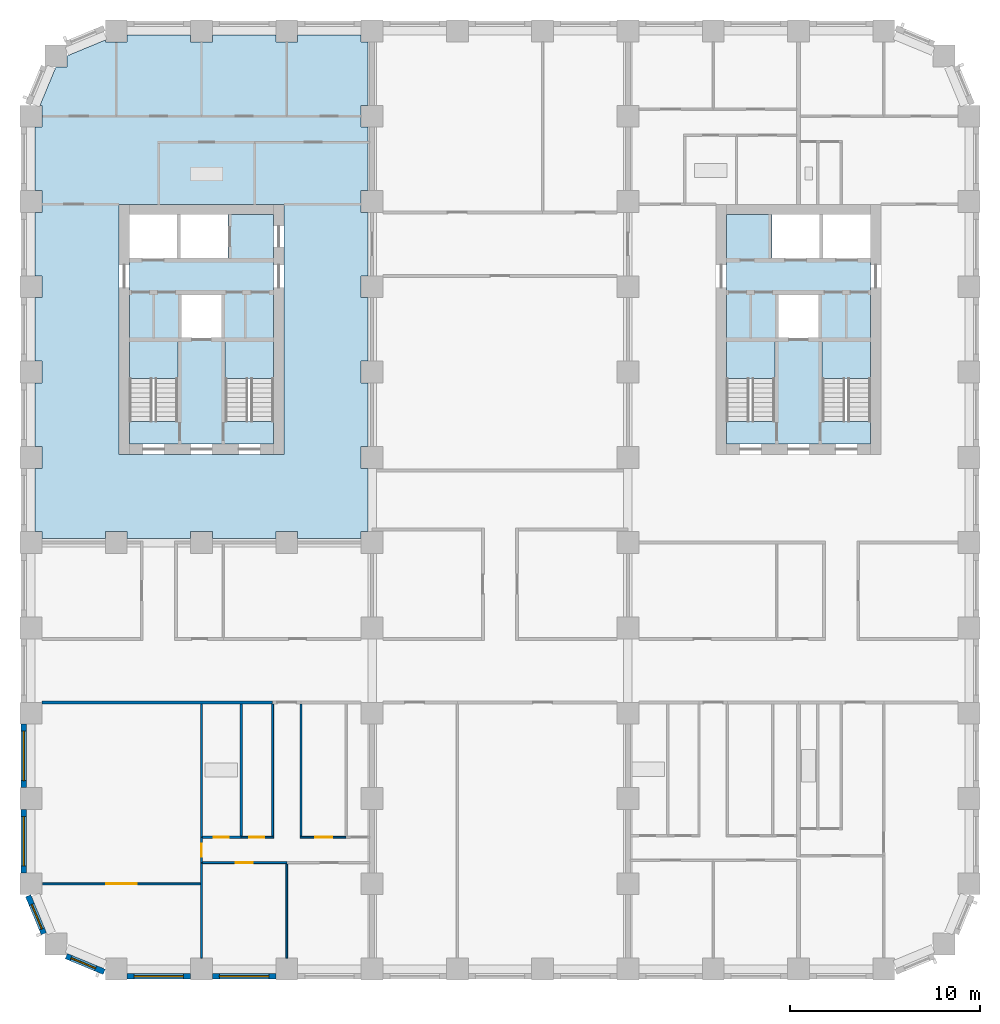
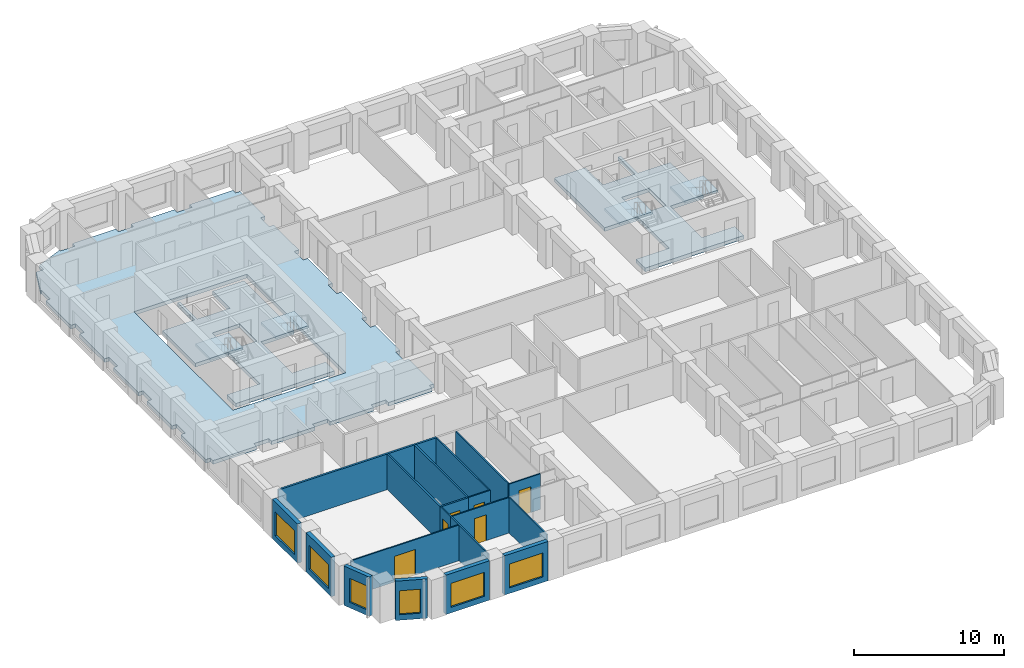
# One storey, part 2 of 12: 19 walls, 7 slabs, 6 doors, 6 windows, 12 openings, 4 elements without a shape of their own.
"""IFC4 building model written with IfcOpenShell, lengths in metres."""

from ifc_helpers import new_model, si_unit, direction, frame, frame_2d, origin, place, context, subcontext, project, spatial, polyline, rectangle, outline, extrude, material, layer, layer_set, type_object, element, fill, aggregate, save


model = new_model("IFC4")

# Units and contexts
model_context = context("Model", 3, precision=1e-05, world=origin(), true_north=direction((0.0, 1.0)))
body_context = subcontext(model_context, "Body", "Model", "MODEL_VIEW")
ifc_project = project(units=[si_unit("LENGTHUNIT", "METRE"), si_unit("AREAUNIT", "SQUARE_METRE"), si_unit("VOLUMEUNIT", "CUBIC_METRE"), si_unit("PLANEANGLEUNIT", "RADIAN"), si_unit("MASSUNIT", "GRAM", prefix="KILO")], contexts=[model_context])

# Site, building, storey
site_placement = place(None, origin())
site = spatial("IfcSite", under=ifc_project, at=site_placement, CompositionType="ELEMENT")
building_placement = place(site_placement, origin())
building = spatial("IfcBuilding", under=site, at=building_placement, Name="Girih Gate Residences", CompositionType="ELEMENT")
storey_placement = place(building_placement, frame((0.0, 0.0, 112.0)))
storey = spatial("IfcBuildingStorey", under=building, at=storey_placement, Name="L31", CompositionType="ELEMENT", Elevation=112.0)

# Slabs
ifc_material_1 = material(Name="Concrete C40/50", Category="concrete")
ifc_layer_1 = layer(ifc_material_1, 0.300048828125)
ifc_layer_set_1 = layer_set([ifc_layer_1], Name="Core floor slab 300")
slab_type_1 = type_object("IfcSlabType", Name="Core floor slab 300", PredefinedType="FLOOR", material=ifc_layer_set_1)
slab_1_placement = place(storey_placement, frame((0.0, 0.0, -0.300048828125)))
element("IfcSlab", 1, at=slab_1_placement, inside=storey, type_object=slab_type_1, Name="L31 W core floor", PredefinedType="FLOOR", context=body_context, shape_type="SweptSolid", body=[
    extrude(outline(polyline([(12.800048828125, 27.699951171875), (5.199951171875, 27.699951171875), (5.199951171875, 28.900634765625), (7.75, 28.900634765625), (7.75, 33.10009765625), (5.199951171875, 33.10009765625), (5.199951171875, 37.5), (7.699951171875, 37.5), (7.699951171875, 39.800048828125), (7.89990234375, 39.800048828125), (7.89990234375, 37.5), (10.39990234375, 37.5), (10.39990234375, 39.800048828125), (12.800048828125, 39.800048828125), (12.800048828125, 33.10009765625), (10.25, 33.10009765625), (10.25, 28.900634765625), (12.800048828125, 28.900634765625), (12.800048828125, 27.699951171875)]), holes=[polyline([(7.949951171875, 33.300048828125), (10.050048828125, 33.300048828125), (10.050048828125, 35.60009765625), (7.949951171875, 35.60009765625), (7.949951171875, 33.300048828125)])]), origin(), (0.0, 0.0, 1.0), 0.300048828125),
])
slab_2_placement = place(storey_placement, frame((0.0, 0.0, -0.300048828125)))
element("IfcSlab", 2, at=slab_2_placement, inside=storey, type_object=slab_type_1, Name="L31 E core floor", PredefinedType="FLOOR", context=body_context, shape_type="SweptSolid", body=[
    extrude(outline(polyline([(44.300048828125, 27.699951171875), (36.699951171875, 27.699951171875), (36.699951171875, 28.900634765625), (39.25, 28.900634765625), (39.25, 33.10009765625), (36.699951171875, 33.10009765625), (36.699951171875, 39.800048828125), (39.10009765625, 39.800048828125), (39.10009765625, 37.5), (41.60009765625, 37.5), (41.60009765625, 39.800048828125), (41.800048828125, 39.800048828125), (41.800048828125, 37.5), (44.300048828125, 37.5), (44.300048828125, 33.10009765625), (41.75, 33.10009765625), (41.75, 28.900634765625), (44.300048828125, 28.900634765625), (44.300048828125, 27.699951171875)]), holes=[polyline([(39.449951171875, 33.300048828125), (41.550048828125, 33.300048828125), (41.550048828125, 35.60009765625), (39.449951171875, 35.60009765625), (39.449951171875, 33.300048828125)])]), origin(), (0.0, 0.0, 1.0), 0.300048828125),
])
ifc_layer_2 = layer(ifc_material_1, 0.300048828125)
ifc_layer_set_2 = layer_set([ifc_layer_2], Name="Floor slab PT 300 Concrete C40/50")
slab_type_2 = type_object("IfcSlabType", Name="Floor slab PT 300 Concrete C40/50", PredefinedType="FLOOR", material=ifc_layer_set_2)
slab_3_placement = place(storey_placement, frame((0.0, 0.0, -0.300048828125)))
element("IfcSlab", 3, at=slab_3_placement, inside=storey, type_object=slab_type_2, Name="Floor slab L31 3", PredefinedType="FLOOR", context=body_context, shape_type="SweptSolid", body=[
    extrude(outline(polyline([(0.22509765625, 26.425048828125), (0.22509765625, 23.074951171875), (0.574951171875, 23.074951171875), (0.574951171875, 22.72509765625), (3.925048828125, 22.72509765625), (3.925048828125, 23.074951171875), (5.074951171875, 23.074951171875), (5.074951171875, 22.72509765625), (8.425048828125, 22.72509765625), (8.425048828125, 23.074951171875), (9.574951171875, 23.074951171875), (9.574951171875, 22.72509765625), (12.925048828125, 22.72509765625), (12.925048828125, 23.074951171875), (14.074951171875, 23.074951171875), (14.074951171875, 22.72509765625), (17.425048828125, 22.72509765625), (17.425048828125, 23.074951171875), (17.77490234375, 23.074951171875), (17.77490234375, 26.425048828125), (17.425048828125, 26.425048828125), (17.425048828125, 27.574951171875), (17.77490234375, 27.574951171875), (17.77490234375, 30.925048828125), (17.425048828125, 30.925048828125), (17.425048828125, 32.074951171875), (17.77490234375, 32.074951171875), (17.77490234375, 35.425048828125), (17.425048828125, 35.425048828125), (17.425048828125, 36.574951171875), (17.77490234375, 36.574951171875), (17.77490234375, 39.925048828125), (17.425048828125, 39.925048828125), (17.425048828125, 41.074951171875), (17.77490234375, 41.074951171875), (17.77490234375, 44.425048828125), (17.425048828125, 44.425048828125), (17.425048828125, 45.574951171875), (17.77490234375, 45.574951171875), (17.77490234375, 48.925048828125), (17.425048828125, 48.925048828125), (17.425048828125, 49.27490234375), (14.074951171875, 49.27490234375), (14.074951171875, 48.925048828125), (12.925048828125, 48.925048828125), (12.925048828125, 49.27490234375), (9.574951171875, 49.27490234375), (9.574951171875, 48.925048828125), (8.425048828125, 48.925048828125), (8.425048828125, 49.27490234375), (5.074951171875, 49.27490234375), (5.074951171875, 48.925048828125), (3.925048828125, 48.925048828125), (3.925048828125, 49.018310546875), (1.89306640625, 48.176513671875), (1.89306640625, 47.60693359375), (1.323486328125, 47.60693359375), (0.481689453125, 45.574951171875), (0.574951171875, 45.574951171875), (0.574951171875, 44.425048828125), (0.22509765625, 44.425048828125), (0.22509765625, 41.074951171875), (0.574951171875, 41.074951171875), (0.574951171875, 39.925048828125), (0.22509765625, 39.925048828125), (0.22509765625, 36.574951171875), (0.574951171875, 36.574951171875), (0.574951171875, 35.425048828125), (0.22509765625, 35.425048828125), (0.22509765625, 32.074951171875), (0.574951171875, 32.074951171875), (0.574951171875, 30.925048828125), (0.22509765625, 30.925048828125), (0.22509765625, 27.574951171875), (0.574951171875, 27.574951171875), (0.574951171875, 26.425048828125), (0.22509765625, 26.425048828125)]), holes=[polyline([(13.35009765625, 40.35009765625), (13.35009765625, 27.14990234375), (4.64990234375, 27.14990234375), (4.64990234375, 40.35009765625), (13.35009765625, 40.35009765625)])]), origin(), (0.0, 0.0, 1.0), 0.300048828125),
])

# Stair, slab
stair_type = type_object("IfcStairType", Name="Exit stair", PredefinedType="HALF_TURN_STAIR", material=ifc_material_1)
stair_1_placement = place(storey_placement, origin())
stair_1 = element("IfcStair", 4, at=stair_1_placement, inside=storey, type_object=stair_type, Name="L31 Exit Stair ST-W1", PredefinedType="HALF_TURN_STAIR")
ifc_layer_3 = layer(ifc_material_1, 0.199951171875)
ifc_layer_set_3 = layer_set([ifc_layer_3], Name="Stair landing 200")
slab_type_3 = type_object("IfcSlabType", Name="Stair landing 200", PredefinedType="LANDING", material=ifc_layer_set_3)
slab_4_placement = place(storey_placement, frame((0.0, 0.0, 1.39990234375)))
slab_4 = element("IfcSlab", 5, at=slab_4_placement, type_object=slab_type_3, Name="ST-W1 landing 1", PredefinedType="LANDING", context=body_context, shape_type="SweptSolid", body=[
    extrude(outline(polyline([(7.75, 31.14990234375), (7.75, 33.10009765625), (5.199951171875, 33.10009765625), (5.199951171875, 31.14990234375), (7.75, 31.14990234375)])), origin(), (0.0, 0.0, 1.0), 0.2001953125),
])
aggregate(stair_1, [slab_4])

stair_2_placement = place(storey_placement, origin())
stair_2 = element("IfcStair", 6, at=stair_2_placement, inside=storey, type_object=stair_type, Name="L31 Exit Stair ST-W2", PredefinedType="HALF_TURN_STAIR")
slab_5_placement = place(storey_placement, frame((0.0, 0.0, 1.39990234375)))
slab_5 = element("IfcSlab", 7, at=slab_5_placement, type_object=slab_type_3, Name="ST-W2 landing 1", PredefinedType="LANDING", context=body_context, shape_type="SweptSolid", body=[
    extrude(outline(polyline([(12.800048828125, 31.14990234375), (12.800048828125, 33.10009765625), (10.25, 33.10009765625), (10.25, 31.14990234375), (12.800048828125, 31.14990234375)])), origin(), (0.0, 0.0, 1.0), 0.2001953125),
])
aggregate(stair_2, [slab_5])

stair_3_placement = place(storey_placement, origin())
stair_3 = element("IfcStair", 8, at=stair_3_placement, inside=storey, type_object=stair_type, Name="L31 Exit Stair ST-E1", PredefinedType="HALF_TURN_STAIR")
slab_6_placement = place(storey_placement, frame((0.0, 0.0, 1.39990234375)))
slab_6 = element("IfcSlab", 9, at=slab_6_placement, type_object=slab_type_3, Name="ST-E1 landing 1", PredefinedType="LANDING", context=body_context, shape_type="SweptSolid", body=[
    extrude(outline(polyline([(44.300048828125, 31.14990234375), (44.300048828125, 33.10009765625), (41.75, 33.10009765625), (41.75, 31.14990234375), (44.300048828125, 31.14990234375)])), origin(), (0.0, 0.0, 1.0), 0.2001953125),
])
aggregate(stair_3, [slab_6])

stair_4_placement = place(storey_placement, origin())
stair_4 = element("IfcStair", 10, at=stair_4_placement, inside=storey, type_object=stair_type, Name="L31 Exit Stair ST-E2", PredefinedType="HALF_TURN_STAIR")
slab_7_placement = place(storey_placement, frame((0.0, 0.0, 1.39990234375)))
slab_7 = element("IfcSlab", 11, at=slab_7_placement, type_object=slab_type_3, Name="ST-E2 landing 1", PredefinedType="LANDING", context=body_context, shape_type="SweptSolid", body=[
    extrude(outline(polyline([(39.25, 31.14990234375), (39.25, 33.10009765625), (36.699951171875, 33.10009765625), (36.699951171875, 31.14990234375), (39.25, 31.14990234375)])), origin(), (0.0, 0.0, 1.0), 0.2001953125),
])
aggregate(stair_4, [slab_7])

# Walls
ifc_material_2 = material(Name="Gypsum board on steel studs", Category="steel")
ifc_layer_4 = layer(ifc_material_2, 0.14990234375)
ifc_layer_set_4 = layer_set([ifc_layer_4], Name="Compartment wall 150 mm")
wall_type_1 = type_object("IfcWallType", Name="Compartment wall 150 mm", PredefinedType="PARTITIONING", material=ifc_layer_set_4)
wall_1_placement = place(storey_placement, frame((0.574951171875, 14.074951171875, 0.0), z_axis=(0.0, 0.0, 1.0), x_axis=(1.0, 0.0, 0.0)))
element("IfcWall", 12, at=wall_1_placement, inside=storey, type_object=wall_type_1, Name="L31 partition", PredefinedType="PARTITIONING", context=body_context, shape_type="SweptSolid", body=[
    extrude(rectangle(XDim=12.175048828125, YDim=0.14990234375, at=frame_2d((6.08740234375, 0.0))), origin(), (0.0, 0.0, 1.0), 2.89990234375),
])
ifc_layer_5 = layer(ifc_material_2, 0.10009765625)
ifc_layer_set_5 = layer_set([ifc_layer_5], Name="Partition 100 mm")
wall_type_2 = type_object("IfcWallType", Name="Partition 100 mm", PredefinedType="PARTITIONING", material=ifc_layer_set_5)
wall_2_placement = place(storey_placement, frame((13.5, 0.574951171875, 0.0), z_axis=(0.0, 0.0, 1.0), x_axis=(0.0, 1.0, 0.0)))
element("IfcWall", 13, at=wall_2_placement, inside=storey, type_object=wall_type_2, Name="L31 partition", PredefinedType="PARTITIONING", context=body_context, shape_type="SweptSolid", body=[
    extrude(rectangle(XDim=4.989990234375, YDim=0.10009765625, at=frame_2d((2.4951171875, 0.0))), origin(), (0.0, 0.0, 1.0), 2.89990234375),
])

# Wall, opening, door
wall_3_placement = place(storey_placement, frame((13.5, 5.614990234375, 0.0), z_axis=(0.0, 0.0, 1.0), x_axis=(-1.0, 0.0, 0.0)))
wall_3 = element("IfcWall", 14, at=wall_3_placement, inside=storey, type_object=wall_type_2, Name="L31 partition", PredefinedType="PARTITIONING", context=body_context, shape_type="SweptSolid", body=[
    extrude(rectangle(XDim=4.449951171875, YDim=0.10009765625, at=frame_2d((2.22509765625, 0.0))), origin(), (0.0, 0.0, 1.0), 2.89990234375),
])
opening_1_placement = place(wall_3_placement, frame((1.800048828125, 0.0, 0.0)))
opening_1 = element("IfcOpeningElement", 15, at=opening_1_placement, cuts=wall_3, Name="Opening A31-002", PredefinedType="OPENING", context=body_context, shape_type="SweptSolid", body=[
    extrude(rectangle(XDim=0.89990234375, YDim=2.10009765625, at=frame_2d((0.449951171875, 1.050048828125))), frame((0.0, 0.06005859375, 0.0), z_axis=(0.0, -1.0, 0.0), x_axis=(1.0, 0.0, 0.0)), (0.0, 0.0, 1.0), 0.1201171875),
])
ifc_material_3 = material(Name="Timber", Category="wood")
door_type_1 = type_object("IfcDoorType", Name="Bedroom door 900x2100", OperationType="NOTDEFINED", PredefinedType="DOOR", material=ifc_material_3)
door_1_placement = place(opening_1_placement, origin())
door_1 = element("IfcDoor", 16, at=door_1_placement, inside=storey, type_object=door_type_1, Name="Door A31-002", OperationType="SINGLE_SWING_RIGHT", OverallHeight=2.10009765625, OverallWidth=0.89990234375, PredefinedType="DOOR", context=body_context, shape_type="SweptSolid", body=[
    extrude(rectangle(XDim=0.89990234375, YDim=2.10009765625, at=frame_2d((0.449951171875, 1.050048828125))), frame((0.0, 0.02490234375, 0.0), z_axis=(0.0, -1.0, 0.0), x_axis=(1.0, 0.0, 0.0)), (0.0, 0.0, 1.0), 0.050048828125),
])
fill(opening_1, door_1)

# Wall
wall_4_placement = place(storey_placement, frame((9.0, 0.574951171875, 0.0), z_axis=(0.0, 0.0, 1.0), x_axis=(0.0, 1.0, 0.0)))
element("IfcWall", 17, at=wall_4_placement, inside=storey, type_object=wall_type_2, Name="L31 partition", PredefinedType="PARTITIONING", context=body_context, shape_type="SweptSolid", body=[
    extrude(rectangle(XDim=5.0400390625, YDim=0.10009765625, at=frame_2d((2.52001953125, 0.0))), origin(), (0.0, 0.0, 1.0), 2.89990234375),
])

# Wall, opening, door
wall_5_placement = place(storey_placement, frame((9.0, 5.614990234375, 0.0), z_axis=(0.0, 0.0, 1.0), x_axis=(0.0, 1.0, 0.0)))
wall_5 = element("IfcWall", 18, at=wall_5_placement, inside=storey, type_object=wall_type_2, Name="L31 partition", PredefinedType="PARTITIONING", context=body_context, shape_type="SweptSolid", body=[
    extrude(rectangle(XDim=1.340087890625, YDim=0.10009765625, at=frame_2d((0.669921875, 0.0))), origin(), (0.0, 0.0, 1.0), 2.89990234375),
])
opening_2_placement = place(wall_5_placement, frame((0.31005859375, 0.0, 0.0)))
opening_2 = element("IfcOpeningElement", 19, at=opening_2_placement, cuts=wall_5, Name="Opening A31-004", PredefinedType="OPENING", context=body_context, shape_type="SweptSolid", body=[
    extrude(rectangle(XDim=0.699951171875, YDim=2.10009765625, at=frame_2d((0.35009765625, 1.050048828125))), frame((0.0, 0.06005859375, 0.0), z_axis=(0.0, -1.0, 0.0), x_axis=(1.0, 0.0, 0.0)), (0.0, 0.0, 1.0), 0.1201171875),
])
door_type_2 = type_object("IfcDoorType", Name="Narrow door 700x2100", OperationType="NOTDEFINED", PredefinedType="DOOR", material=ifc_material_3)
door_2_placement = place(opening_2_placement, origin())
door_2 = element("IfcDoor", 20, at=door_2_placement, inside=storey, type_object=door_type_2, Name="Door A31-004", OperationType="SINGLE_SWING_LEFT", OverallHeight=2.10009765625, OverallWidth=0.699951171875, PredefinedType="DOOR", context=body_context, shape_type="SweptSolid", body=[
    extrude(rectangle(XDim=0.699951171875, YDim=2.10009765625, at=frame_2d((0.35009765625, 1.050048828125))), frame((0.0, 0.02490234375, 0.0), z_axis=(0.0, -1.0, 0.0), x_axis=(1.0, 0.0, 0.0)), (0.0, 0.0, 1.0), 0.050048828125),
])
fill(opening_2, door_2)

wall_6_placement = place(storey_placement, frame((0.622314453125, 4.5, 0.0), z_axis=(0.0, 0.0, 1.0), x_axis=(1.0, 0.0, 0.0)))
wall_6 = element("IfcWall", 21, at=wall_6_placement, inside=storey, type_object=wall_type_2, Name="L31 partition", PredefinedType="PARTITIONING", context=body_context, shape_type="SweptSolid", body=[
    extrude(rectangle(XDim=8.32763671875, YDim=0.10009765625, at=frame_2d((4.163818359375, 0.0))), origin(), (0.0, 0.0, 1.0), 2.89990234375),
])
opening_3_placement = place(wall_6_placement, frame((3.364990234375, 0.0, 0.0)))
opening_3 = element("IfcOpeningElement", 22, at=opening_3_placement, cuts=wall_6, Name="Opening A31-005", PredefinedType="OPENING", context=body_context, shape_type="SweptSolid", body=[
    extrude(rectangle(XDim=1.60009765625, YDim=2.10009765625, at=frame_2d((0.800048828125, 1.050048828125))), frame((0.0, 0.06005859375, 0.0), z_axis=(0.0, -1.0, 0.0), x_axis=(1.0, 0.0, 0.0)), (0.0, 0.0, 1.0), 0.1201171875),
])
door_type_3 = type_object("IfcDoorType", Name="Double leaf door 1600x2100", OperationType="NOTDEFINED", PredefinedType="DOOR", material=ifc_material_3)
door_3_placement = place(opening_3_placement, origin())
door_3 = element("IfcDoor", 23, at=door_3_placement, inside=storey, type_object=door_type_3, Name="Door A31-005", OperationType="SINGLE_SWING_RIGHT", OverallHeight=2.10009765625, OverallWidth=1.60009765625, PredefinedType="DOOR", context=body_context, shape_type="SweptSolid", body=[
    extrude(rectangle(XDim=1.60009765625, YDim=2.10009765625, at=frame_2d((0.800048828125, 1.050048828125))), frame((0.0, 0.02490234375, 0.0), z_axis=(0.0, -1.0, 0.0), x_axis=(1.0, 0.0, 0.0)), (0.0, 0.0, 1.0), 0.050048828125),
])
fill(opening_3, door_3)

# Wall
wall_7_placement = place(storey_placement, frame((14.25, 7.0048828125, 0.0), z_axis=(0.0, 0.0, 1.0), x_axis=(0.0, 1.0, 0.0)))
element("IfcWall", 24, at=wall_7_placement, inside=storey, type_object=wall_type_2, Name="L31 partition", PredefinedType="PARTITIONING", context=body_context, shape_type="SweptSolid", body=[
    extrude(rectangle(XDim=6.9951171875, YDim=0.10009765625, at=frame_2d((3.49755859375, 0.0))), origin(), (0.0, 0.0, 1.0), 2.89990234375),
])

# Wall, opening, door
wall_8_placement = place(storey_placement, frame((14.199951171875, 6.955078125, 0.0), z_axis=(0.0, 0.0, 1.0), x_axis=(1.0, 0.0, 0.0)))
wall_8 = element("IfcWall", 25, at=wall_8_placement, inside=storey, type_object=wall_type_2, Name="L31 partition", PredefinedType="PARTITIONING", context=body_context, shape_type="SweptSolid", body=[
    extrude(rectangle(XDim=2.43505859375, YDim=0.10009765625, at=frame_2d((1.217529296875, 0.0))), origin(), (0.0, 0.0, 1.0), 2.89990234375),
])
opening_4_placement = place(wall_8_placement, frame((0.79248046875, 0.0, 0.0)))
opening_4 = element("IfcOpeningElement", 26, at=opening_4_placement, cuts=wall_8, Name="Opening A31-006", PredefinedType="OPENING", context=body_context, shape_type="SweptSolid", body=[
    extrude(rectangle(XDim=0.89990234375, YDim=2.10009765625, at=frame_2d((0.449951171875, 1.050048828125))), frame((0.0, 0.06005859375, 0.0), z_axis=(0.0, -1.0, 0.0), x_axis=(1.0, 0.0, 0.0)), (0.0, 0.0, 1.0), 0.1201171875),
])
door_type_4 = type_object("IfcDoorType", Name="Kitchen door 900x2100", OperationType="NOTDEFINED", PredefinedType="DOOR", material=ifc_material_3)
door_4_placement = place(opening_4_placement, origin())
door_4 = element("IfcDoor", 27, at=door_4_placement, inside=storey, type_object=door_type_4, Name="Door A31-006", OperationType="SINGLE_SWING_RIGHT", OverallHeight=2.10009765625, OverallWidth=0.89990234375, PredefinedType="DOOR", context=body_context, shape_type="SweptSolid", body=[
    extrude(rectangle(XDim=0.89990234375, YDim=2.10009765625, at=frame_2d((0.449951171875, 1.050048828125))), frame((0.0, 0.02490234375, 0.0), z_axis=(0.0, -1.0, 0.0), x_axis=(1.0, 0.0, 0.0)), (0.0, 0.0, 1.0), 0.050048828125),
])
fill(opening_4, door_4)

wall_9_placement = place(storey_placement, frame((11.09521484375, 6.955078125, 0.0), z_axis=(0.0, 0.0, 1.0), x_axis=(1.0, 0.0, 0.0)))
wall_9 = element("IfcWall", 28, at=wall_9_placement, inside=storey, type_object=wall_type_2, Name="L31 partition", PredefinedType="PARTITIONING", context=body_context, shape_type="SweptSolid", body=[
    extrude(rectangle(XDim=1.704833984375, YDim=0.10009765625, at=frame_2d((0.8525390625, 0.0))), origin(), (0.0, 0.0, 1.0), 2.89990234375),
])
opening_5_placement = place(wall_9_placement, frame((0.427490234375, 0.0, 0.0)))
opening_5 = element("IfcOpeningElement", 29, at=opening_5_placement, cuts=wall_9, Name="Opening A31-008", PredefinedType="OPENING", context=body_context, shape_type="SweptSolid", body=[
    extrude(rectangle(XDim=0.800048828125, YDim=2.10009765625, at=frame_2d((0.39990234375, 1.050048828125))), frame((0.0, 0.06005859375, 0.0), z_axis=(0.0, -1.0, 0.0), x_axis=(1.0, 0.0, 0.0)), (0.0, 0.0, 1.0), 0.1201171875),
])
door_type_5 = type_object("IfcDoorType", Name="Store door 800x2100", OperationType="NOTDEFINED", PredefinedType="DOOR", material=ifc_material_3)
door_5_placement = place(opening_5_placement, origin())
door_5 = element("IfcDoor", 30, at=door_5_placement, inside=storey, type_object=door_type_5, Name="Door A31-008", OperationType="SINGLE_SWING_LEFT", OverallHeight=2.10009765625, OverallWidth=0.800048828125, PredefinedType="DOOR", context=body_context, shape_type="SweptSolid", body=[
    extrude(rectangle(XDim=0.800048828125, YDim=2.10009765625, at=frame_2d((0.39990234375, 1.050048828125))), frame((0.0, 0.02490234375, 0.0), z_axis=(0.0, -1.0, 0.0), x_axis=(1.0, 0.0, 0.0)), (0.0, 0.0, 1.0), 0.050048828125),
])
fill(opening_5, door_5)

# Wall
wall_10_placement = place(storey_placement, frame((12.75, 7.0048828125, 0.0), z_axis=(0.0, 0.0, 1.0), x_axis=(0.0, 1.0, 0.0)))
element("IfcWall", 31, at=wall_10_placement, inside=storey, type_object=wall_type_2, Name="L31 partition", PredefinedType="PARTITIONING", context=body_context, shape_type="SweptSolid", body=[
    extrude(rectangle(XDim=6.9951171875, YDim=0.10009765625, at=frame_2d((3.49755859375, 0.0))), origin(), (0.0, 0.0, 1.0), 2.89990234375),
])

# Wall, opening, window
ifc_material_4 = material(Name="Precast concrete C50/60", Category="concrete")
ifc_layer_6 = layer(ifc_material_4, 0.080078125, Name="Outer leaf")
ifc_material_5 = material(Name="Rigid PIR insulation")
ifc_layer_7 = layer(ifc_material_5, 0.14990234375, Name="Insulation")
ifc_material_6 = material(Name="Precast concrete C40/50", Category="concrete")
ifc_layer_8 = layer(ifc_material_6, 0.070068359375, Name="Inner leaf")
ifc_layer_set_6 = layer_set([ifc_layer_6, ifc_layer_7, ifc_layer_8], Name="Precast concrete C50/60 external wall 300")
wall_type_3 = type_object("IfcWallType", Name="Precast concrete C50/60 external wall 300", PredefinedType="SOLIDWALL", material=ifc_layer_set_6)
wall_11_placement = place(storey_placement, frame((0.68408203125, 1.86865234375, 0.0), z_axis=(0.0, 0.0, 1.0), x_axis=(-0.382723818695, 0.923862802911, 0.0)))
wall_11 = element("IfcWall", 32, at=wall_11_placement, inside=storey, type_object=wall_type_3, Name="External wall SW0000_0045.0", PredefinedType="SOLIDWALL", context=body_context, shape_type="SweptSolid", body=[
    extrude(rectangle(XDim=2.163818359375, YDim=0.300048828125, at=frame_2d((1.08203125, 0.0))), origin(), (0.0, 0.0, 1.0), 3.199951171875),
])
opening_6_placement = place(wall_11_placement, frame((0.270751953125, 0.0, 0.449951171875)))
opening_6 = element("IfcOpeningElement", 33, at=opening_6_placement, cuts=wall_11, Name="Opening W-2D", PredefinedType="OPENING", context=body_context, shape_type="SweptSolid", body=[
    extrude(rectangle(XDim=1.39990234375, YDim=1.949951171875, at=frame_2d((0.699951171875, 0.97509765625))), frame((0.0, 0.159912109375, 0.0), z_axis=(0.0, -1.0, 0.0), x_axis=(1.0, 0.0, 0.0)), (0.0, 0.0, 1.0), 0.320068359375),
])
ifc_material_7 = material(Name="Double glazing in aluminium frame", Category="aluminium")
window_type_1 = type_object("IfcWindowType", Name="Window W-2D 1400x1950", PartitioningType="SINGLE_PANEL", PredefinedType="WINDOW", material=ifc_material_7)
window_1_placement = place(opening_6_placement, origin())
window_1 = element("IfcWindow", 34, at=window_1_placement, inside=storey, type_object=window_type_1, Name="Window W-2D SW0000_0045.0", OverallHeight=1.949951171875, OverallWidth=1.39990234375, PartitioningType="SINGLE_PANEL", PredefinedType="WINDOW", context=body_context, shape_type="SweptSolid", body=[
    extrude(rectangle(XDim=1.39990234375, YDim=1.949951171875, at=frame_2d((0.699951171875, 0.97509765625))), frame((0.0, 0.030029296875, 0.0), z_axis=(0.0, -1.0, 0.0), x_axis=(1.0, 0.0, 0.0)), (0.0, 0.0, 1.0), 0.06005859375),
])
fill(opening_6, window_1)

wall_12_placement = place(storey_placement, frame((3.86767578125, -0.14404296875, 0.0), z_axis=(0.0, 0.0, 1.0), x_axis=(-0.923862802911, 0.382723818695, 0.0)))
wall_12 = element("IfcWall", 35, at=wall_12_placement, inside=storey, type_object=wall_type_3, Name="External wall SW0013_0013.0", PredefinedType="SOLIDWALL", context=body_context, shape_type="SweptSolid", body=[
    extrude(rectangle(XDim=2.163818359375, YDim=0.300048828125, at=frame_2d((1.08203125, 0.0))), origin(), (0.0, 0.0, 1.0), 3.199951171875),
])
opening_7_placement = place(wall_12_placement, frame((0.492919921875, 0.0, 0.449951171875)))
opening_7 = element("IfcOpeningElement", 36, at=opening_7_placement, cuts=wall_12, Name="Opening W-2D", PredefinedType="OPENING", context=body_context, shape_type="SweptSolid", body=[
    extrude(rectangle(XDim=1.39990234375, YDim=1.949951171875, at=frame_2d((0.699951171875, 0.97509765625))), frame((0.0, 0.159912109375, 0.0), z_axis=(0.0, -1.0, 0.0), x_axis=(1.0, 0.0, 0.0)), (0.0, 0.0, 1.0), 0.320068359375),
])
window_2_placement = place(opening_7_placement, origin())
window_2 = element("IfcWindow", 37, at=window_2_placement, inside=storey, type_object=window_type_1, Name="Window W-2D SW0013_0013.0", OverallHeight=1.949951171875, OverallWidth=1.39990234375, PartitioningType="SINGLE_PANEL", PredefinedType="WINDOW", context=body_context, shape_type="SweptSolid", body=[
    extrude(rectangle(XDim=1.39990234375, YDim=1.949951171875, at=frame_2d((0.699951171875, 0.97509765625))), frame((0.0, 0.030029296875, 0.0), z_axis=(0.0, -1.0, 0.0), x_axis=(1.0, 0.0, 0.0)), (0.0, 0.0, 1.0), 0.06005859375),
])
fill(opening_7, window_2)

wall_13_placement = place(storey_placement, frame((8.425048828125, -0.375, 0.0), z_axis=(0.0, 0.0, 1.0), x_axis=(-1.0, 0.0, 0.0)))
wall_13 = element("IfcWall", 38, at=wall_13_placement, inside=storey, type_object=wall_type_3, Name="External wall S0045_0000.0", PredefinedType="SOLIDWALL", context=body_context, shape_type="SweptSolid", body=[
    extrude(rectangle(XDim=3.35009765625, YDim=0.300048828125, at=frame_2d((1.675048828125, 0.0))), origin(), (0.0, 0.0, 1.0), 3.199951171875),
])
opening_8_placement = place(wall_13_placement, frame((0.375, 0.0, 0.449951171875)))
opening_8 = element("IfcOpeningElement", 39, at=opening_8_placement, cuts=wall_13, Name="Opening W-1A", PredefinedType="OPENING", context=body_context, shape_type="SweptSolid", body=[
    extrude(rectangle(XDim=2.60009765625, YDim=1.949951171875, at=frame_2d((1.300048828125, 0.97509765625))), frame((0.0, 0.159912109375, 0.0), z_axis=(0.0, -1.0, 0.0), x_axis=(1.0, 0.0, 0.0)), (0.0, 0.0, 1.0), 0.320068359375),
])
window_type_2 = type_object("IfcWindowType", Name="Window W-1A 2600x1950", PartitioningType="SINGLE_PANEL", PredefinedType="WINDOW", material=ifc_material_7)
window_3_placement = place(opening_8_placement, origin())
window_3 = element("IfcWindow", 40, at=window_3_placement, inside=storey, type_object=window_type_2, Name="Window W-1A S0045_0000.0", OverallHeight=1.949951171875, OverallWidth=2.60009765625, PartitioningType="SINGLE_PANEL", PredefinedType="WINDOW", context=body_context, shape_type="SweptSolid", body=[
    extrude(rectangle(XDim=2.60009765625, YDim=1.949951171875, at=frame_2d((1.300048828125, 0.97509765625))), frame((0.0, 0.030029296875, 0.0), z_axis=(0.0, -1.0, 0.0), x_axis=(1.0, 0.0, 0.0)), (0.0, 0.0, 1.0), 0.06005859375),
])
fill(opening_8, window_3)

wall_14_placement = place(storey_placement, frame((12.925048828125, -0.375, 0.0), z_axis=(0.0, 0.0, 1.0), x_axis=(-1.0, 0.0, 0.0)))
wall_14 = element("IfcWall", 41, at=wall_14_placement, inside=storey, type_object=wall_type_3, Name="External wall S0045_0000.1", PredefinedType="SOLIDWALL", context=body_context, shape_type="SweptSolid", body=[
    extrude(rectangle(XDim=3.35009765625, YDim=0.300048828125, at=frame_2d((1.675048828125, 0.0))), origin(), (0.0, 0.0, 1.0), 3.199951171875),
])
opening_9_placement = place(wall_14_placement, frame((0.375, 0.0, 0.449951171875)))
opening_9 = element("IfcOpeningElement", 42, at=opening_9_placement, cuts=wall_14, Name="Opening W-1A", PredefinedType="OPENING", context=body_context, shape_type="SweptSolid", body=[
    extrude(rectangle(XDim=2.60009765625, YDim=1.949951171875, at=frame_2d((1.300048828125, 0.97509765625))), frame((0.0, 0.159912109375, 0.0), z_axis=(0.0, -1.0, 0.0), x_axis=(1.0, 0.0, 0.0)), (0.0, 0.0, 1.0), 0.320068359375),
])
window_4_placement = place(opening_9_placement, origin())
window_4 = element("IfcWindow", 43, at=window_4_placement, inside=storey, type_object=window_type_2, Name="Window W-1A S0045_0000.1", OverallHeight=1.949951171875, OverallWidth=2.60009765625, PartitioningType="SINGLE_PANEL", PredefinedType="WINDOW", context=body_context, shape_type="SweptSolid", body=[
    extrude(rectangle(XDim=2.60009765625, YDim=1.949951171875, at=frame_2d((1.300048828125, 0.97509765625))), frame((0.0, 0.030029296875, 0.0), z_axis=(0.0, -1.0, 0.0), x_axis=(1.0, 0.0, 0.0)), (0.0, 0.0, 1.0), 0.06005859375),
])
fill(opening_9, window_4)

wall_15_placement = place(storey_placement, frame((-0.375, 9.574951171875, 0.0), z_axis=(0.0, 0.0, 1.0), x_axis=(0.0, 1.0, 0.0)))
wall_15 = element("IfcWall", 44, at=wall_15_placement, inside=storey, type_object=wall_type_3, Name="External wall W0000_0450.7", PredefinedType="SOLIDWALL", context=body_context, shape_type="SweptSolid", body=[
    extrude(rectangle(XDim=3.35009765625, YDim=0.300048828125, at=frame_2d((1.675048828125, 0.0))), origin(), (0.0, 0.0, 1.0), 3.199951171875),
])
opening_10_placement = place(wall_15_placement, frame((0.375, 0.0, 0.449951171875)))
opening_10 = element("IfcOpeningElement", 45, at=opening_10_placement, cuts=wall_15, Name="Opening W-1A", PredefinedType="OPENING", context=body_context, shape_type="SweptSolid", body=[
    extrude(rectangle(XDim=2.60009765625, YDim=1.949951171875, at=frame_2d((1.300048828125, 0.97509765625))), frame((0.0, 0.159912109375, 0.0), z_axis=(0.0, -1.0, 0.0), x_axis=(1.0, 0.0, 0.0)), (0.0, 0.0, 1.0), 0.320068359375),
])
window_5_placement = place(opening_10_placement, origin())
window_5 = element("IfcWindow", 46, at=window_5_placement, inside=storey, type_object=window_type_2, Name="Window W-1A W0000_0450.7", OverallHeight=1.949951171875, OverallWidth=2.60009765625, PartitioningType="SINGLE_PANEL", PredefinedType="WINDOW", context=body_context, shape_type="SweptSolid", body=[
    extrude(rectangle(XDim=2.60009765625, YDim=1.949951171875, at=frame_2d((1.300048828125, 0.97509765625))), frame((0.0, 0.030029296875, 0.0), z_axis=(0.0, -1.0, 0.0), x_axis=(1.0, 0.0, 0.0)), (0.0, 0.0, 1.0), 0.06005859375),
])
fill(opening_10, window_5)

wall_16_placement = place(storey_placement, frame((-0.375, 5.074951171875, 0.0), z_axis=(0.0, 0.0, 1.0), x_axis=(0.0, 1.0, 0.0)))
wall_16 = element("IfcWall", 47, at=wall_16_placement, inside=storey, type_object=wall_type_3, Name="External wall W0000_0450.8", PredefinedType="SOLIDWALL", context=body_context, shape_type="SweptSolid", body=[
    extrude(rectangle(XDim=3.35009765625, YDim=0.300048828125, at=frame_2d((1.675048828125, 0.0))), origin(), (0.0, 0.0, 1.0), 3.199951171875),
])
opening_11_placement = place(wall_16_placement, frame((0.375, 0.0, 0.449951171875)))
opening_11 = element("IfcOpeningElement", 48, at=opening_11_placement, cuts=wall_16, Name="Opening W-1A", PredefinedType="OPENING", context=body_context, shape_type="SweptSolid", body=[
    extrude(rectangle(XDim=2.60009765625, YDim=1.949951171875, at=frame_2d((1.300048828125, 0.97509765625))), frame((0.0, 0.159912109375, 0.0), z_axis=(0.0, -1.0, 0.0), x_axis=(1.0, 0.0, 0.0)), (0.0, 0.0, 1.0), 0.320068359375),
])
window_6_placement = place(opening_11_placement, origin())
window_6 = element("IfcWindow", 49, at=window_6_placement, inside=storey, type_object=window_type_2, Name="Window W-1A W0000_0450.8", OverallHeight=1.949951171875, OverallWidth=2.60009765625, PartitioningType="SINGLE_PANEL", PredefinedType="WINDOW", context=body_context, shape_type="SweptSolid", body=[
    extrude(rectangle(XDim=2.60009765625, YDim=1.949951171875, at=frame_2d((1.300048828125, 0.97509765625))), frame((0.0, 0.030029296875, 0.0), z_axis=(0.0, -1.0, 0.0), x_axis=(1.0, 0.0, 0.0)), (0.0, 0.0, 1.0), 0.06005859375),
])
fill(opening_11, window_6)

# Wall
ifc_layer_9 = layer(ifc_material_2, 0.125)
ifc_layer_set_7 = layer_set([ifc_layer_9], Name="Wet room wall 125 mm")
wall_type_4 = type_object("IfcWallType", Name="Wet room wall 125 mm", PredefinedType="PARTITIONING", material=ifc_layer_set_7)
wall_17_placement = place(storey_placement, frame((9.0, 6.955078125, 0.0), z_axis=(0.0, 0.0, 1.0), x_axis=(0.0, 1.0, 0.0)))
element("IfcWall", 50, at=wall_17_placement, inside=storey, type_object=wall_type_4, Name="L31 partition", PredefinedType="PARTITIONING", context=body_context, shape_type="SweptSolid", body=[
    extrude(rectangle(XDim=7.044921875, YDim=0.125, at=frame_2d((3.5224609375, 0.0))), origin(), (0.0, 0.0, 1.0), 2.89990234375),
])

# Wall, opening, door
wall_18_placement = place(storey_placement, frame((9.0625, 6.955078125, 0.0), z_axis=(0.0, 0.0, 1.0), x_axis=(1.0, 0.0, 0.0)))
wall_18 = element("IfcWall", 51, at=wall_18_placement, inside=storey, type_object=wall_type_4, Name="L31 partition", PredefinedType="PARTITIONING", context=body_context, shape_type="SweptSolid", body=[
    extrude(rectangle(XDim=2.03271484375, YDim=0.125, at=frame_2d((1.016357421875, 0.0))), origin(), (0.0, 0.0, 1.0), 2.89990234375),
])
opening_12_placement = place(wall_18_placement, frame((0.585205078125, 0.0, 0.0)))
opening_12 = element("IfcOpeningElement", 52, at=opening_12_placement, cuts=wall_18, Name="Opening A31-001", PredefinedType="OPENING", context=body_context, shape_type="SweptSolid", body=[
    extrude(rectangle(XDim=0.800048828125, YDim=2.10009765625, at=frame_2d((0.39990234375, 1.050048828125))), frame((0.0, 0.072509765625, 0.0), z_axis=(0.0, -1.0, 0.0), x_axis=(1.0, 0.0, 0.0)), (0.0, 0.0, 1.0), 0.14501953125),
])
door_type_6 = type_object("IfcDoorType", Name="Bathroom door 800x2100", OperationType="NOTDEFINED", PredefinedType="DOOR", material=ifc_material_3)
door_6_placement = place(opening_12_placement, origin())
door_6 = element("IfcDoor", 53, at=door_6_placement, inside=storey, type_object=door_type_6, Name="Door A31-001", OperationType="SINGLE_SWING_LEFT", OverallHeight=2.10009765625, OverallWidth=0.800048828125, PredefinedType="DOOR", context=body_context, shape_type="SweptSolid", body=[
    extrude(rectangle(XDim=0.800048828125, YDim=2.10009765625, at=frame_2d((0.39990234375, 1.050048828125))), frame((0.0, 0.02490234375, 0.0), z_axis=(0.0, -1.0, 0.0), x_axis=(1.0, 0.0, 0.0)), (0.0, 0.0, 1.0), 0.050048828125),
])
fill(opening_12, door_6)

# Wall
wall_19_placement = place(storey_placement, frame((11.094970703125, 7.017578125, 0.0), z_axis=(0.0, 0.0, 1.0), x_axis=(0.0, 1.0, 0.0)))
element("IfcWall", 54, at=wall_19_placement, inside=storey, type_object=wall_type_4, Name="L31 partition", PredefinedType="PARTITIONING", context=body_context, shape_type="SweptSolid", body=[
    extrude(rectangle(XDim=6.982421875, YDim=0.125, at=frame_2d((3.4912109375, 0.0))), origin(), (0.0, 0.0, 1.0), 2.89990234375),
])

save(model, "model.ifc")
